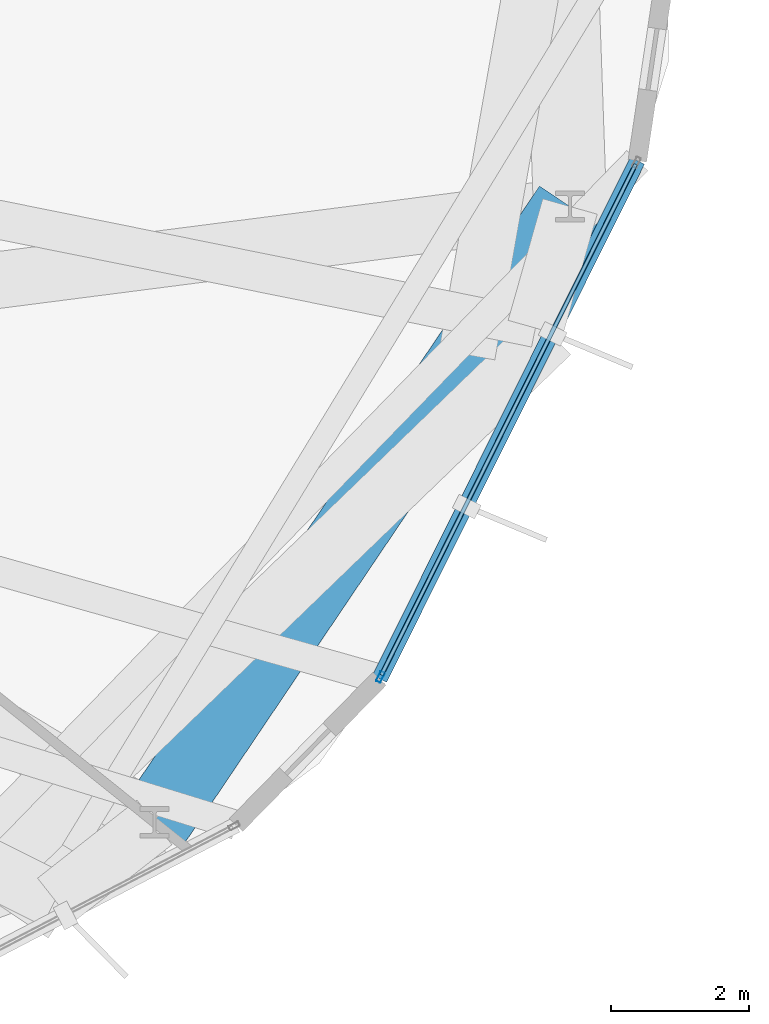
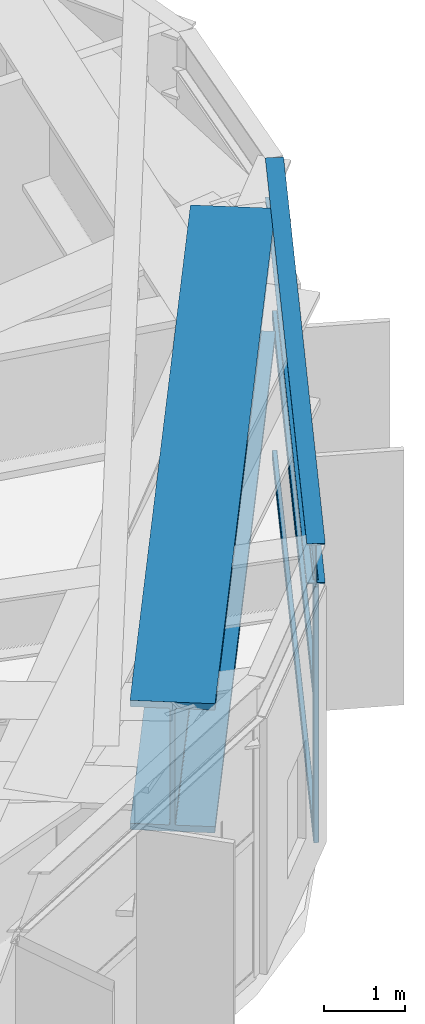
# One storey, part 12 of 27: 4 members, 2 beams, 1 element without a shape of its own.
"""IFC4 building model written with IfcOpenShell, lengths in metres."""

from ifc_helpers import new_model, si_unit, direction, frame, origin, origin_2d, place, context, subcontext, project, spatial, hollow_rectangle, i_section, extrude, material, layer, layer_set, material_profile, profile_set, type_object, element, aggregate, save


model = new_model("IFC4")

# Units and contexts
model_context = context("Model", 3, precision=1e-05, world=origin(), true_north=direction((0.0, 1.0)))
body_context = subcontext(model_context, "Body", "Model", "MODEL_VIEW")
ifc_project = project(units=[si_unit("LENGTHUNIT", "METRE"), si_unit("AREAUNIT", "SQUARE_METRE"), si_unit("VOLUMEUNIT", "CUBIC_METRE"), si_unit("PLANEANGLEUNIT", "RADIAN"), si_unit("MASSUNIT", "GRAM", prefix="KILO")], contexts=[model_context])

# Site, building, storey
site_placement = place(None, origin())
site = spatial("IfcSite", under=ifc_project, at=site_placement, CompositionType="ELEMENT")
building_placement = place(site_placement, origin())
building = spatial("IfcBuilding", under=site, at=building_placement, Name="Soratama Intermodal Tower", CompositionType="ELEMENT")
storey_placement = place(building_placement, frame((0.0, 0.0, 134.199951171875)))
storey = spatial("IfcBuildingStorey", under=building, at=storey_placement, Name="L32", CompositionType="ELEMENT", Elevation=134.199951171875)

# Beams
ifc_material_1 = material(Name="Structural steel ASTM A992 Grade 50", Category="steel")
ifc_material_profile_1 = material_profile(ifc_material_1, i_section(OverallWidth=0.22900390625, OverallDepth=0.612060546875, WebThickness=0.011962890625, FlangeThickness=0.01953125, FilletRadius=0.012939453125, at=origin_2d()), Name="W24X84")
ifc_profile_set_1 = profile_set([ifc_material_profile_1], Name="Structural steel ASTM A992 Grade 50")
beam_type_1 = type_object("IfcBeamType", Name="BM-SPN-W24X84", PredefinedType="SPANDREL", material=ifc_profile_set_1)
beam_1_placement = place(storey_placement, frame((58.970947265625, 13.368896484375, 4.194091796875), z_axis=(0.445580474247, 0.895241889642, 0.0), x_axis=(-0.895241889642, 0.445580474247, 0.0)))
element("IfcBeam", 1, at=beam_1_placement, inside=storey, type_object=beam_type_1, Name="BS-L32-F09", PredefinedType="SPANDREL", context=body_context, shape_type="SweptSolid", body=[
    extrude(i_section(OverallWidth=0.22900390625, OverallDepth=0.612060546875, WebThickness=0.011962890625, FlangeThickness=0.01953125, FilletRadius=0.012939453125, at=origin_2d()), origin(), (0.0, 0.0, 1.0), 8.37548828125),
])
ifc_material_2 = material(Name="Structural steel ASTM A992 Grade 50", Category="steel")
ifc_material_profile_2 = material_profile(ifc_material_2, i_section(OverallWidth=1.06005859375, OverallDepth=1.9599609375, WebThickness=0.05810546875, FlangeThickness=0.095947265625, FilletRadius=0.02392578125, at=origin_2d()), Name="PG2400X900")
ifc_profile_set_2 = profile_set([ifc_material_profile_2], Name="Structural steel ASTM A992 Grade 50")
beam_type_2 = type_object("IfcBeamType", Name="BM-ZSTEP-PG2400", PredefinedType="BEAM", material=ifc_profile_set_2)
beam_2_placement = place(storey_placement, frame((55.7119140625, 11.2890625, 3.52001953125), z_axis=(0.559249807749, 0.828999187293, 0.0), x_axis=(-0.828999187293, 0.559249807749, 0.0)))
element("IfcBeam", 2, at=beam_2_placement, inside=storey, type_object=beam_type_2, Name="BM-L32-RING-09", PredefinedType="BEAM", context=body_context, shape_type="SweptSolid", body=[
    extrude(i_section(OverallWidth=1.06005859375, OverallDepth=1.9599609375, WebThickness=0.05810546875, FlangeThickness=0.095947265625, FilletRadius=0.02392578125, at=origin_2d()), origin(), (0.0, 0.0, 1.0), 10.75390625),
])

# Curtain wall, members
ifc_material_3 = material(Name="Double-glazed aluminium curtain wall", Category="aluminium")
ifc_layer = layer(ifc_material_3, 0.159912109375)
ifc_layer_set = layer_set([ifc_layer], Name="Double-glazed aluminium curtain wall")
curtain_wall_type = type_object("IfcCurtainWallType", Name="CW-SYS-3", PredefinedType="NOTDEFINED", material=ifc_layer_set)
curtain_wall_placement = place(storey_placement, origin())
curtain_wall = element("IfcCurtainWall", 3, at=curtain_wall_placement, inside=storey, type_object=curtain_wall_type, Name="L32 Faceted Curtain Wall F09", PredefinedType="NOTDEFINED")
ifc_material_4 = material(Name="Anodised aluminium AA 6063-T6", Category="aluminium")
ifc_material_profile_3 = material_profile(ifc_material_4, hollow_rectangle(XDim=0.070068359375, YDim=0.159912109375, WallThickness=0.0048828125, InnerFilletRadius=0.0048828125, OuterFilletRadius=0.010009765625, at=origin_2d()), Name="CWM160X70X5")
ifc_profile_set_3 = profile_set([ifc_material_profile_3], Name="Anodised aluminium AA 6063-T6")
member_type_1 = type_object("IfcMemberType", Name="MT-CWM-3", PredefinedType="MULLION", material=ifc_profile_set_3)
member_1_placement = place(storey_placement, frame((58.98388671875, 13.3955078125, 0.0), z_axis=(0.0, 0.0, 1.0), x_axis=(-0.895247053814, 0.445570098456, 0.0)))
member_1 = element("IfcMember", 4, at=member_1_placement, type_object=member_type_1, Name="CW-3 mullion 1", PredefinedType="MULLION", context=body_context, shape_type="SweptSolid", body=[
    extrude(hollow_rectangle(XDim=0.070068359375, YDim=0.159912109375, WallThickness=0.0048828125, InnerFilletRadius=0.0048828125, OuterFilletRadius=0.010009765625, at=origin_2d()), origin(), (0.0, 0.0, 1.0), 3.879150390625),
])
ifc_material_5 = material(Name="Anodised aluminium AA 6063-T6", Category="aluminium")
ifc_material_profile_4 = material_profile(ifc_material_5, hollow_rectangle(XDim=0.06494140625, YDim=0.14990234375, WallThickness=0.0048828125, InnerFilletRadius=0.0048828125, OuterFilletRadius=0.010009765625, at=origin_2d()), Name="CWT150X65X5")
ifc_profile_set_4 = profile_set([ifc_material_profile_4], Name="Anodised aluminium AA 6063-T6")
member_type_2 = type_object("IfcMemberType", Name="TT-CWT-1", PredefinedType="USERDEFINED", material=ifc_profile_set_4)
member_2_placement = place(storey_placement, frame((58.997314453125, 13.42236328125, 0.030029296875), z_axis=(0.445568718583, 0.895247740584, 0.0), x_axis=(-0.895247740584, 0.445568718583, 0.0)))
member_2 = element("IfcMember", 5, at=member_2_placement, type_object=member_type_2, Name="CW-3 transom 1.1", ObjectType="TRANSOM", PredefinedType="USERDEFINED", context=body_context, shape_type="SweptSolid", body=[
    extrude(hollow_rectangle(XDim=0.06494140625, YDim=0.14990234375, WallThickness=0.0048828125, InnerFilletRadius=0.0048828125, OuterFilletRadius=0.010009765625, at=origin_2d()), origin(), (0.0, 0.0, 1.0), 8.256103515625),
])
member_3_placement = place(storey_placement, frame((58.997314453125, 13.42236328125, 2.150146484375), z_axis=(0.445568718583, 0.895247740584, 0.0), x_axis=(-0.895247740584, 0.445568718583, 0.0)))
member_3 = element("IfcMember", 6, at=member_3_placement, type_object=member_type_2, Name="CW-3 transom 1.2", ObjectType="TRANSOM", PredefinedType="USERDEFINED", context=body_context, shape_type="SweptSolid", body=[
    extrude(hollow_rectangle(XDim=0.06494140625, YDim=0.14990234375, WallThickness=0.0048828125, InnerFilletRadius=0.0048828125, OuterFilletRadius=0.010009765625, at=origin_2d()), origin(), (0.0, 0.0, 1.0), 8.256103515625),
])
member_4_placement = place(storey_placement, frame((58.997314453125, 13.42236328125, 3.84912109375), z_axis=(0.445568718583, 0.895247740584, 0.0), x_axis=(-0.895247740584, 0.445568718583, 0.0)))
member_4 = element("IfcMember", 7, at=member_4_placement, type_object=member_type_2, Name="CW-3 transom 1.3", ObjectType="TRANSOM", PredefinedType="USERDEFINED", context=body_context, shape_type="SweptSolid", body=[
    extrude(hollow_rectangle(XDim=0.06494140625, YDim=0.14990234375, WallThickness=0.0048828125, InnerFilletRadius=0.0048828125, OuterFilletRadius=0.010009765625, at=origin_2d()), origin(), (0.0, 0.0, 1.0), 8.256103515625),
])
aggregate(curtain_wall, [member_1, member_2, member_3, member_4])

save(model, "model.ifc")
